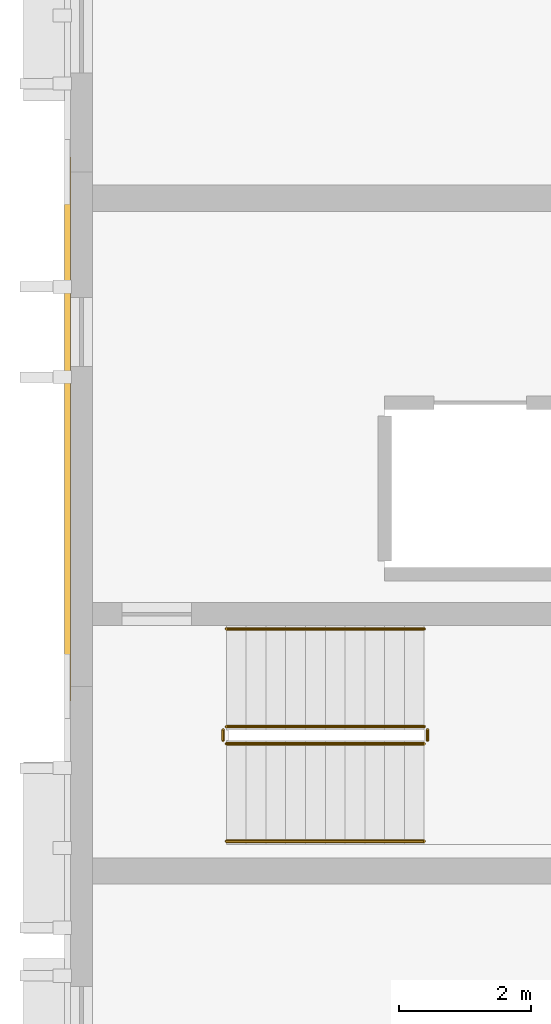
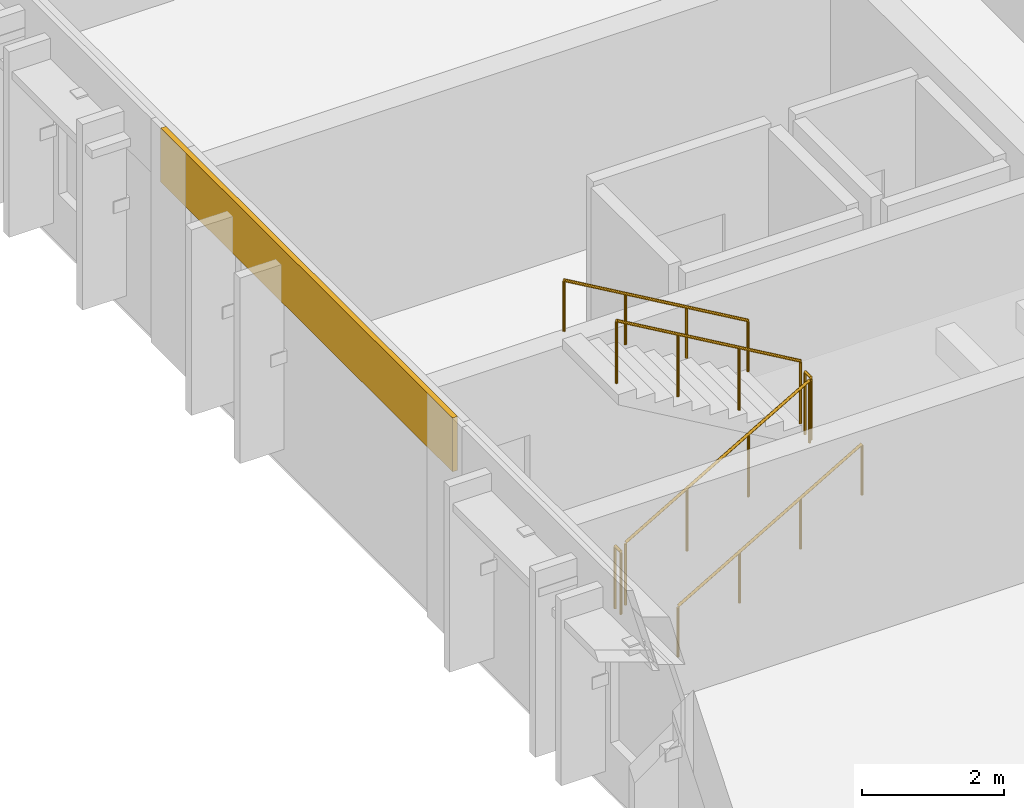
# One storey, part 73 of 85: 6 railings, 1 covering.
"""IFC4 building model written with IfcOpenShell, lengths in metres."""

from ifc_helpers import new_model, si_unit, direction, frame, origin, origin_2d, place, context, subcontext, project, spatial, rectangle, circle, extrude, material, layer, layer_set, type_object, element, save


model = new_model("IFC4")

# Units and contexts
model_context = context("Model", 3, precision=1e-05, world=origin(), true_north=direction((0.0, 1.0)))
body_context = subcontext(model_context, "Body", "Model", "MODEL_VIEW")
ifc_project = project(units=[si_unit("LENGTHUNIT", "METRE"), si_unit("AREAUNIT", "SQUARE_METRE"), si_unit("VOLUMEUNIT", "CUBIC_METRE"), si_unit("PLANEANGLEUNIT", "RADIAN"), si_unit("MASSUNIT", "GRAM", prefix="KILO")], contexts=[model_context])

# Site, building, storey
site_placement = place(None, origin())
site = spatial("IfcSite", under=ifc_project, at=site_placement, CompositionType="ELEMENT")
building_placement = place(site_placement, origin())
building = spatial("IfcBuilding", under=site, at=building_placement, Name="Vervanel Yard Central Library", CompositionType="ELEMENT")
storey_placement = place(building_placement, frame((0.0, 0.0, 5.10009765625)))
storey = spatial("IfcBuildingStorey", under=building, at=storey_placement, Name="L01", CompositionType="ELEMENT", Elevation=5.10009765625)

# Railings
ifc_material_1 = material(Name="Brushed stainless steel AISI 316", Category="steel")
railing_type_1 = type_object("IfcRailingType", Name="Brushed Stainless Stair Handrail 900", PredefinedType="HANDRAIL", material=ifc_material_1)
railing_1_placement = place(storey_placement, frame((2.199951171875, 56.449951171875, 0.174560546875)))
element("IfcRailing", 1, at=railing_1_placement, inside=storey, type_object=railing_type_1, Name="L01 ST-03 stair handrail 1", PredefinedType="HANDRAIL", context=body_context, shape_type="SweptSolid", body=[
    extrude(circle(Radius=0.02392578125, at=origin_2d()), frame((0.0, 0.0, 0.8759765625), z_axis=(0.864360011887, 0.0, 0.502873512775), x_axis=(0.0, 1.0, 0.0)), (0.0, 0.0, 1.0), 3.470703125),
    extrude(circle(Radius=0.02099609375, at=origin_2d()), origin(), (0.0, 0.0, 1.0), 0.851806640625),
    extrude(circle(Radius=0.02099609375, at=origin_2d()), frame((1.0, 0.0, 0.581787109375)), (0.0, 0.0, 1.0), 0.851806640625),
    extrude(circle(Radius=0.02099609375, at=origin_2d()), frame((2.0, 0.0, 1.16357421875)), (0.0, 0.0, 1.0), 0.851806640625),
    extrude(circle(Radius=0.02099609375, at=origin_2d()), frame((3.0, 0.0, 1.745361328125)), (0.0, 0.0, 1.0), 0.851806640625),
])
railing_2_placement = place(storey_placement, frame((5.199951171875, 59.669921875, 2.094482421875)))
element("IfcRailing", 2, at=railing_2_placement, inside=storey, type_object=railing_type_1, Name="L01 ST-03 stair handrail 2", PredefinedType="HANDRAIL", context=body_context, shape_type="SweptSolid", body=[
    extrude(circle(Radius=0.02392578125, at=origin_2d()), frame((0.0, 0.0, 0.8759765625), z_axis=(-0.864360011887, 0.0, 0.502873512775), x_axis=(0.0, -1.0, 0.0)), (0.0, 0.0, 1.0), 3.470703125),
    extrude(circle(Radius=0.02099609375, at=origin_2d()), origin(), (0.0, 0.0, 1.0), 0.851806640625),
    extrude(circle(Radius=0.02099609375, at=origin_2d()), frame((-1.0, 0.0, 0.581787109375)), (0.0, 0.0, 1.0), 0.851806640625),
    extrude(circle(Radius=0.02099609375, at=origin_2d()), frame((-2.0, 0.0, 1.16357421875)), (0.0, 0.0, 1.0), 0.851806640625),
    extrude(circle(Radius=0.02099609375, at=origin_2d()), frame((-3.0, 0.0, 1.745361328125)), (0.0, 0.0, 1.0), 0.851806640625),
])

# Covering
ifc_material_2 = material(Name="Precast concrete C45/55", Category="concrete")
ifc_layer = layer(ifc_material_2, 0.0849609375, Category="concrete")
ifc_layer_set = layer_set([ifc_layer], Name="Precast concrete C45/55")
covering_type = type_object("IfcCoveringType", Name="Bush-Hammered Precast Architectural Cladding Panel", PredefinedType="CLADDING", material=ifc_layer_set)
covering_placement = place(storey_placement, frame((-0.2099609375, 62.699951171875, 2.93017578125), z_axis=(0.0, 0.0, 1.0), x_axis=(0.0, 1.0, 0.0)))
element("IfcCovering", 3, at=covering_placement, inside=storey, type_object=covering_type, Name="L01 Precast Concrete Spandrel Cornice EWALL-L01-0102", PredefinedType="CLADDING", context=body_context, shape_type="SweptSolid", body=[
    extrude(rectangle(XDim=8.25, YDim=0.0849609375, at=origin_2d()), origin(), (0.0, 0.0, 1.0), 0.929931640625),
])

# Railings
ifc_material_3 = material(Name="Galvanized painted steelwork ASTM A500 Grade C", Category="steel")
railing_type_2 = type_object("IfcRailingType", Name="Painted Steel Guardrail 1100", PredefinedType="GUARDRAIL", material=ifc_material_3)
railing_3_placement = place(storey_placement, frame((2.199951171875, 57.929931640625, 0.174560546875)))
element("IfcRailing", 4, at=railing_3_placement, inside=storey, type_object=railing_type_2, Name="L01 ST-03 stair guard 1", PredefinedType="GUARDRAIL", context=body_context, shape_type="SweptSolid", body=[
    extrude(circle(Radius=0.02392578125, at=origin_2d()), frame((0.0, 0.0, 1.076171875), z_axis=(0.864360011887, 0.0, 0.502873512775), x_axis=(0.0, 1.0, 0.0)), (0.0, 0.0, 1.0), 3.470703125),
    extrude(circle(Radius=0.02099609375, at=origin_2d()), origin(), (0.0, 0.0, 1.0), 1.052001953125),
    extrude(circle(Radius=0.02099609375, at=origin_2d()), frame((1.0, 0.0, 0.581787109375)), (0.0, 0.0, 1.0), 1.052001953125),
    extrude(circle(Radius=0.02099609375, at=origin_2d()), frame((2.0, 0.0, 1.16357421875)), (0.0, 0.0, 1.0), 1.052001953125),
    extrude(circle(Radius=0.02099609375, at=origin_2d()), frame((3.0, 0.0, 1.745361328125)), (0.0, 0.0, 1.0), 1.052001953125),
])
railing_4_placement = place(storey_placement, frame((5.25, 57.97998046875, 1.919921875)))
element("IfcRailing", 5, at=railing_4_placement, inside=storey, type_object=railing_type_2, Name="L01 ST-03 stair guard 2", PredefinedType="GUARDRAIL", context=body_context, shape_type="SweptSolid", body=[
    extrude(circle(Radius=0.02392578125, at=origin_2d()), frame((0.0, 0.0, 1.076171875), z_axis=(0.0, 1.0, 0.0), x_axis=(-1.0, 0.0, 0.0)), (0.0, 0.0, 1.0), 0.159912109375),
    extrude(circle(Radius=0.02099609375, at=origin_2d()), origin(), (0.0, 0.0, 1.0), 1.052001953125),
    extrude(circle(Radius=0.02099609375, at=origin_2d()), frame((0.0, 0.159912109375, 0.0)), (0.0, 0.0, 1.0), 1.052001953125),
])
railing_5_placement = place(storey_placement, frame((5.199951171875, 58.18994140625, 2.094482421875)))
element("IfcRailing", 6, at=railing_5_placement, inside=storey, type_object=railing_type_2, Name="L01 ST-03 stair guard 3", PredefinedType="GUARDRAIL", context=body_context, shape_type="SweptSolid", body=[
    extrude(circle(Radius=0.02392578125, at=origin_2d()), frame((0.0, 0.0, 1.076171875), z_axis=(-0.864360011887, 0.0, 0.502873512775), x_axis=(0.0, -1.0, 0.0)), (0.0, 0.0, 1.0), 3.470703125),
    extrude(circle(Radius=0.02099609375, at=origin_2d()), origin(), (0.0, 0.0, 1.0), 1.052001953125),
    extrude(circle(Radius=0.02099609375, at=origin_2d()), frame((-1.0, 0.0, 0.581787109375)), (0.0, 0.0, 1.0), 1.052001953125),
    extrude(circle(Radius=0.02099609375, at=origin_2d()), frame((-2.0, 0.0, 1.16357421875)), (0.0, 0.0, 1.0), 1.052001953125),
    extrude(circle(Radius=0.02099609375, at=origin_2d()), frame((-3.0, 0.0, 1.745361328125)), (0.0, 0.0, 1.0), 1.052001953125),
])
railing_6_placement = place(storey_placement, frame((2.14990234375, 57.97998046875, 0.0)))
element("IfcRailing", 7, at=railing_6_placement, inside=storey, type_object=railing_type_2, Name="L01 ST-03 stair guard 4", PredefinedType="GUARDRAIL", context=body_context, shape_type="SweptSolid", body=[
    extrude(circle(Radius=0.02392578125, at=origin_2d()), frame((0.0, 0.0, 1.076171875), z_axis=(0.0, 1.0, 0.0), x_axis=(-1.0, 0.0, 0.0)), (0.0, 0.0, 1.0), 0.159912109375),
    extrude(circle(Radius=0.02099609375, at=origin_2d()), origin(), (0.0, 0.0, 1.0), 1.052001953125),
    extrude(circle(Radius=0.02099609375, at=origin_2d()), frame((0.0, 0.159912109375, 0.0)), (0.0, 0.0, 1.0), 1.052001953125),
])

save(model, "model.ifc")
